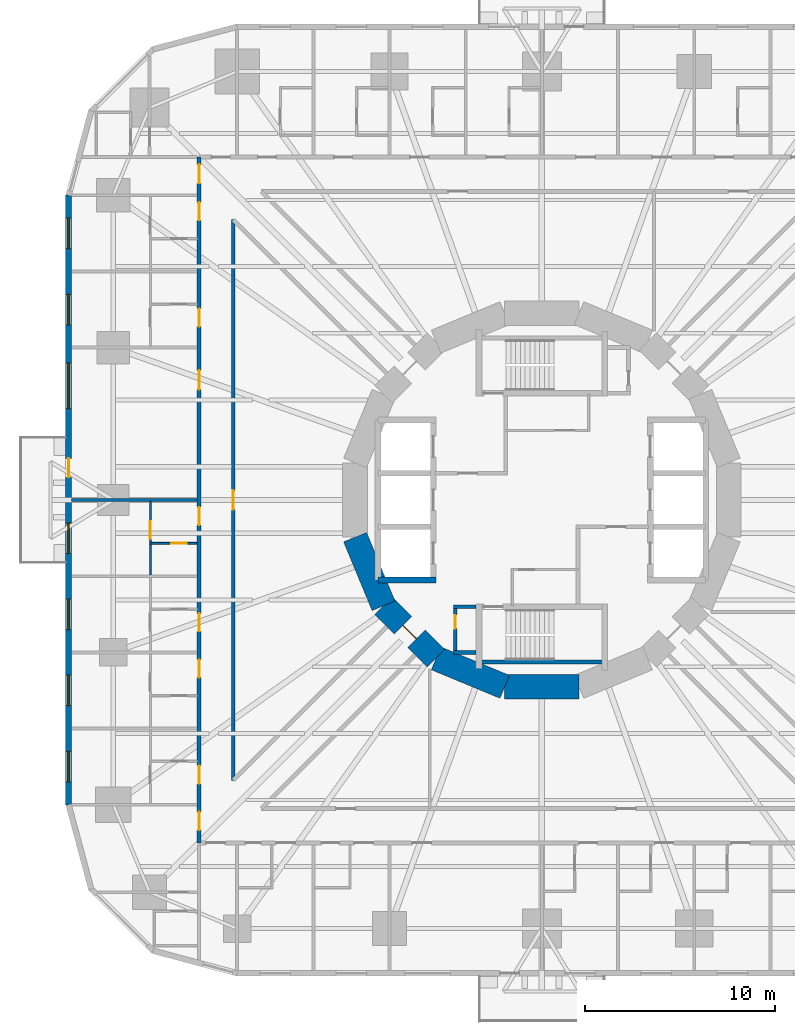
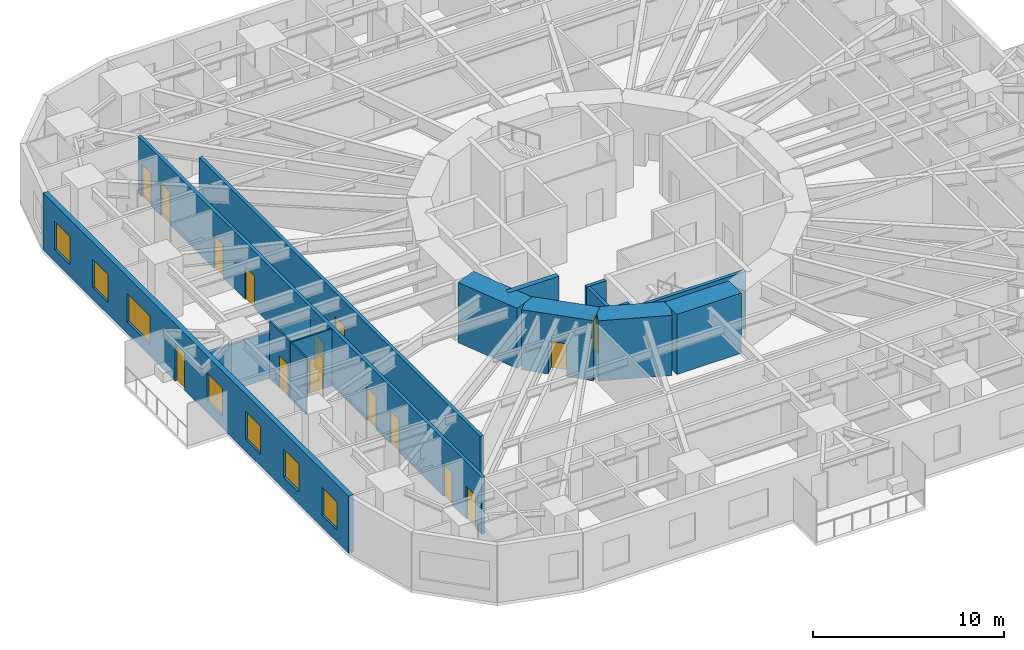
# One storey, part 6 of 14: 16 walls, 15 doors, 7 windows, 22 openings.
"""IFC4 building model written with IfcOpenShell, lengths in metres."""

from ifc_helpers import new_model, si_unit, direction, frame, frame_2d, origin, place, context, subcontext, project, spatial, rectangle, extrude, material, layer, layer_set, type_object, element, fill, save


model = new_model("IFC4")

# Units and contexts
model_context = context("Model", 3, precision=1e-05, world=origin(), true_north=direction((0.0, 1.0)))
body_context = subcontext(model_context, "Body", "Model", "MODEL_VIEW")
ifc_project = project(units=[si_unit("LENGTHUNIT", "METRE"), si_unit("AREAUNIT", "SQUARE_METRE"), si_unit("VOLUMEUNIT", "CUBIC_METRE"), si_unit("PLANEANGLEUNIT", "RADIAN"), si_unit("MASSUNIT", "GRAM", prefix="KILO")], contexts=[model_context])

# Site, building, storey
site_placement = place(None, origin())
site = spatial("IfcSite", under=ifc_project, at=site_placement, CompositionType="ELEMENT")
building_placement = place(site_placement, origin())
building = spatial("IfcBuilding", under=site, at=building_placement, Name="Nakasero Lantern House", CompositionType="ELEMENT")
storey_placement = place(building_placement, frame((0.0, 0.0, 46.800048828125)))
storey = spatial("IfcBuildingStorey", under=building, at=storey_placement, Name="L11", CompositionType="ELEMENT", Elevation=46.800048828125)

# Walls
ifc_material_1 = material(Name="Concrete C50/60", Category="concrete")
ifc_layer_1 = layer(ifc_material_1, 0.300048828125)
ifc_layer_set_1 = layer_set([ifc_layer_1], Name="Core inner wall 300")
wall_type_1 = type_object("IfcWallType", Name="Core inner wall 300", PredefinedType="SHEAR", material=ifc_layer_set_1)
wall_1_placement = place(storey_placement, frame((-8.60009765625, -4.199951171875, 0.0), z_axis=(0.0, 0.0, 1.0), x_axis=(1.0, 0.0, 0.0)))
element("IfcWall", 1, at=wall_1_placement, inside=storey, type_object=wall_type_1, Name="Core inner wall L11 LWS", PredefinedType="SHEAR", context=body_context, shape_type="SweptSolid", body=[
    extrude(rectangle(XDim=3.050048828125, YDim=0.300048828125, at=frame_2d((1.52490234375, 0.0))), origin(), (0.0, 0.0, 1.0), 3.849853515625),
])
ifc_material_2 = material(Name="Concrete C50/60", Category="concrete")
ifc_layer_2 = layer(ifc_material_2, 1.300048828125)
ifc_layer_set_2 = layer_set([ifc_layer_2], Name="Core wall 1300")
wall_type_2 = type_object("IfcWallType", Name="Core wall 1300", PredefinedType="SHEAR", material=ifc_layer_set_2)
wall_2_placement = place(storey_placement, frame((-9.807861328125, -1.950927734375, 0.0), z_axis=(0.0, 0.0, 1.0), x_axis=(0.382690736062, -0.923876507187, 0.0)))
element("IfcWall", 2, at=wall_2_placement, inside=storey, type_object=wall_type_2, Name="Core wall L11 facet 9", PredefinedType="SHEAR", context=body_context, shape_type="SweptSolid", body=[
    extrude(rectangle(XDim=3.90185546875, YDim=1.300048828125, at=frame_2d((1.950927734375, 0.0))), origin(), (0.0, 0.0, 1.0), 3.849853515625),
])

# Wall, opening, door
wall_3_placement = place(storey_placement, frame((-8.314697265625, -5.5556640625, 0.0), z_axis=(0.0, 0.0, 1.0), x_axis=(0.707106781187, -0.707106781187, 0.0)))
wall_3 = element("IfcWall", 3, at=wall_3_placement, inside=storey, type_object=wall_type_2, Name="Core wall L11 facet 10", PredefinedType="SHEAR", context=body_context, shape_type="SweptSolid", body=[
    extrude(rectangle(XDim=3.90185546875, YDim=1.300048828125, at=frame_2d((1.950927734375, 0.0))), origin(), (0.0, 0.0, 1.0), 3.849853515625),
])
opening_1_placement = place(wall_3_placement, frame((1.450927734375, 0.0, 0.0)))
opening_1 = element("IfcOpeningElement", 4, at=opening_1_placement, cuts=wall_3, Name="Opening D05", PredefinedType="OPENING", context=body_context, shape_type="SweptSolid", body=[
    extrude(rectangle(XDim=1.0, YDim=2.10009765625, at=frame_2d((0.5, 1.050048828125))), frame((0.0, 0.669921875, 0.0), z_axis=(0.0, -1.0, 0.0), x_axis=(1.0, 0.0, 0.0)), (0.0, 0.0, 1.0), 1.340087890625),
])
ifc_material_3 = material(Name="Timber C24", Category="wood")
door_type_1 = type_object("IfcDoorType", Name="Core door FD60S 1000", OperationType="SINGLE_SWING_LEFT", PredefinedType="DOOR", material=ifc_material_3)
door_1_placement = place(opening_1_placement, origin())
door_1 = element("IfcDoor", 5, at=door_1_placement, inside=storey, type_object=door_type_1, Name="Door L11 D-CORE10", OperationType="SINGLE_SWING_LEFT", OverallHeight=2.10009765625, OverallWidth=1.0, PredefinedType="DOOR", context=body_context, shape_type="SweptSolid", body=[
    extrude(rectangle(XDim=1.0, YDim=2.10009765625, at=frame_2d((0.5, 1.050048828125))), frame((0.0, 0.02490234375, 0.0), z_axis=(0.0, -1.0, 0.0), x_axis=(1.0, 0.0, 0.0)), (0.0, 0.0, 1.0), 0.050048828125),
])
fill(opening_1, door_1)

# Walls
for number, where, z_axis, x_axis, name in (
    (6, (-5.5556640625, -8.314697265625, 0.0), (0.0, 0.0, 1.0), (0.923876507187, -0.382690736062, 0.0), "Core wall L11 facet 11"),
    (7, (-1.950927734375, -9.807861328125, 0.0), (0.0, 0.0, 1.0), (1.0, 0.0, 0.0), "Core wall L11 facet 12"),
):
    element("IfcWall", number, at=place(storey_placement, frame(where, z_axis=z_axis, x_axis=x_axis)), inside=storey, type_object=wall_type_2, Name=name, PredefinedType="SHEAR", context=body_context, shape_type="SweptSolid", body=[
        extrude(rectangle(XDim=3.90185546875, YDim=1.300048828125, at=frame_2d((1.950927734375, 0.0))), origin(), (0.0, 0.0, 1.0), 3.849853515625),
    ])

# Wall, openings, doors
ifc_material_4 = material(Name="Blockwork", Category="masonry")
ifc_layer_3 = layer(ifc_material_4, 0.199951171875)
ifc_layer_set_3 = layer_set([ifc_layer_3], Name="Corridor wall 200")
wall_type_3 = type_object("IfcWallType", Name="Corridor wall 200", PredefinedType="PARTITIONING", material=ifc_layer_set_3)
wall_4_placement = place(storey_placement, frame((-18.0, 18.0, 0.0), z_axis=(0.0, 0.0, 1.0), x_axis=(0.0, -1.0, 0.0)))
wall_4 = element("IfcWall", 8, at=wall_4_placement, inside=storey, type_object=wall_type_3, Name="Corridor wall L11 CW2", PredefinedType="PARTITIONING", context=body_context, shape_type="SweptSolid", body=[
    extrude(rectangle(XDim=36.0, YDim=0.199951171875, at=frame_2d((18.0, 0.0))), origin(), (0.0, 0.0, 1.0), 3.64990234375),
])
opening_2_placement = place(wall_4_placement, frame((0.375, 0.0, 0.0)))
opening_2 = element("IfcOpeningElement", 9, at=opening_2_placement, cuts=wall_4, Name="Opening D07", PredefinedType="OPENING", context=body_context, shape_type="SweptSolid", body=[
    extrude(rectangle(XDim=1.0, YDim=2.10009765625, at=frame_2d((0.5, 1.050048828125))), frame((0.0, 0.119873046875, 0.0), z_axis=(0.0, -1.0, 0.0), x_axis=(1.0, 0.0, 0.0)), (0.0, 0.0, 1.0), 0.239990234375),
])
opening_3_placement = place(wall_4_placement, frame((2.375, 0.0, 0.0)))
opening_3 = element("IfcOpeningElement", 10, at=opening_3_placement, cuts=wall_4, Name="Opening D01", PredefinedType="OPENING", context=body_context, shape_type="SweptSolid", body=[
    extrude(rectangle(XDim=0.949951171875, YDim=2.10009765625, at=frame_2d((0.47509765625, 1.050048828125))), frame((0.0, 0.119873046875, 0.0), z_axis=(0.0, -1.0, 0.0), x_axis=(1.0, 0.0, 0.0)), (0.0, 0.0, 1.0), 0.239990234375),
])
opening_4_placement = place(wall_4_placement, frame((7.949951171875, 0.0, 0.0)))
opening_4 = element("IfcOpeningElement", 11, at=opening_4_placement, cuts=wall_4, Name="Opening D01", PredefinedType="OPENING", context=body_context, shape_type="SweptSolid", body=[
    extrude(rectangle(XDim=0.949951171875, YDim=2.10009765625, at=frame_2d((0.47509765625, 1.050048828125))), frame((0.0, 0.119873046875, 0.0), z_axis=(0.0, -1.0, 0.0), x_axis=(1.0, 0.0, 0.0)), (0.0, 0.0, 1.0), 0.239990234375),
])
opening_5_placement = place(wall_4_placement, frame((18.375, 0.0, 0.0)))
opening_5 = element("IfcOpeningElement", 12, at=opening_5_placement, cuts=wall_4, Name="Opening D01", PredefinedType="OPENING", context=body_context, shape_type="SweptSolid", body=[
    extrude(rectangle(XDim=0.949951171875, YDim=2.10009765625, at=frame_2d((0.47509765625, 1.050048828125))), frame((0.0, 0.119873046875, 0.0), z_axis=(0.0, -1.0, 0.0), x_axis=(1.0, 0.0, 0.0)), (0.0, 0.0, 1.0), 0.239990234375),
])
opening_6_placement = place(wall_4_placement, frame((23.949951171875, 0.0, 0.0)))
opening_6 = element("IfcOpeningElement", 13, at=opening_6_placement, cuts=wall_4, Name="Opening D01", PredefinedType="OPENING", context=body_context, shape_type="SweptSolid", body=[
    extrude(rectangle(XDim=0.949951171875, YDim=2.10009765625, at=frame_2d((0.47509765625, 1.050048828125))), frame((0.0, 0.119873046875, 0.0), z_axis=(0.0, -1.0, 0.0), x_axis=(1.0, 0.0, 0.0)), (0.0, 0.0, 1.0), 0.239990234375),
])
opening_7_placement = place(wall_4_placement, frame((26.375, 0.0, 0.0)))
opening_7 = element("IfcOpeningElement", 14, at=opening_7_placement, cuts=wall_4, Name="Opening D01", PredefinedType="OPENING", context=body_context, shape_type="SweptSolid", body=[
    extrude(rectangle(XDim=0.949951171875, YDim=2.10009765625, at=frame_2d((0.47509765625, 1.050048828125))), frame((0.0, 0.119873046875, 0.0), z_axis=(0.0, -1.0, 0.0), x_axis=(1.0, 0.0, 0.0)), (0.0, 0.0, 1.0), 0.239990234375),
])
opening_8_placement = place(wall_4_placement, frame((31.949951171875, 0.0, 0.0)))
opening_8 = element("IfcOpeningElement", 15, at=opening_8_placement, cuts=wall_4, Name="Opening D01", PredefinedType="OPENING", context=body_context, shape_type="SweptSolid", body=[
    extrude(rectangle(XDim=0.949951171875, YDim=2.10009765625, at=frame_2d((0.47509765625, 1.050048828125))), frame((0.0, 0.119873046875, 0.0), z_axis=(0.0, -1.0, 0.0), x_axis=(1.0, 0.0, 0.0)), (0.0, 0.0, 1.0), 0.239990234375),
])
opening_9_placement = place(wall_4_placement, frame((34.375, 0.0, 0.0)))
opening_9 = element("IfcOpeningElement", 16, at=opening_9_placement, cuts=wall_4, Name="Opening D01", PredefinedType="OPENING", context=body_context, shape_type="SweptSolid", body=[
    extrude(rectangle(XDim=0.949951171875, YDim=2.10009765625, at=frame_2d((0.47509765625, 1.050048828125))), frame((0.0, 0.119873046875, 0.0), z_axis=(0.0, -1.0, 0.0), x_axis=(1.0, 0.0, 0.0)), (0.0, 0.0, 1.0), 0.239990234375),
])
opening_10_placement = place(wall_4_placement, frame((11.199951171875, 0.0, 0.0)))
opening_10 = element("IfcOpeningElement", 17, at=opening_10_placement, cuts=wall_4, Name="Opening D03", PredefinedType="OPENING", context=body_context, shape_type="SweptSolid", body=[
    extrude(rectangle(XDim=1.0, YDim=2.10009765625, at=frame_2d((0.5, 1.050048828125))), frame((0.0, 0.119873046875, 0.0), z_axis=(0.0, -1.0, 0.0), x_axis=(1.0, 0.0, 0.0)), (0.0, 0.0, 1.0), 0.239990234375),
])
ifc_material_5 = material(Name="Timber C24", Category="wood")
door_type_2 = type_object("IfcDoorType", Name="Bedroom door FD30S 950", OperationType="SINGLE_SWING_LEFT", PredefinedType="DOOR", material=ifc_material_5)
door_2_placement = place(opening_3_placement, origin())
door_2 = element("IfcDoor", 18, at=door_2_placement, inside=storey, type_object=door_type_2, Name="Door L11 D2-01", OperationType="SINGLE_SWING_LEFT", OverallHeight=2.10009765625, OverallWidth=0.949951171875, PredefinedType="DOOR", context=body_context, shape_type="SweptSolid", body=[
    extrude(rectangle(XDim=0.949951171875, YDim=2.10009765625, at=frame_2d((0.47509765625, 1.050048828125))), frame((0.0, 0.02490234375, 0.0), z_axis=(0.0, -1.0, 0.0), x_axis=(1.0, 0.0, 0.0)), (0.0, 0.0, 1.0), 0.050048828125),
])
fill(opening_3, door_2)
door_3_placement = place(opening_4_placement, origin())
door_3 = element("IfcDoor", 19, at=door_3_placement, inside=storey, type_object=door_type_2, Name="Door L11 D2-02", OperationType="SINGLE_SWING_LEFT", OverallHeight=2.10009765625, OverallWidth=0.949951171875, PredefinedType="DOOR", context=body_context, shape_type="SweptSolid", body=[
    extrude(rectangle(XDim=0.949951171875, YDim=2.10009765625, at=frame_2d((0.47509765625, 1.050048828125))), frame((0.0, 0.02490234375, 0.0), z_axis=(0.0, -1.0, 0.0), x_axis=(1.0, 0.0, 0.0)), (0.0, 0.0, 1.0), 0.050048828125),
])
fill(opening_4, door_3)
door_4_placement = place(opening_5_placement, origin())
door_4 = element("IfcDoor", 20, at=door_4_placement, inside=storey, type_object=door_type_2, Name="Door L11 D2-05", OperationType="SINGLE_SWING_RIGHT", OverallHeight=2.10009765625, OverallWidth=0.949951171875, PredefinedType="DOOR", context=body_context, shape_type="SweptSolid", body=[
    extrude(rectangle(XDim=0.949951171875, YDim=2.10009765625, at=frame_2d((0.47509765625, 1.050048828125))), frame((0.0, 0.02490234375, 0.0), z_axis=(0.0, -1.0, 0.0), x_axis=(1.0, 0.0, 0.0)), (0.0, 0.0, 1.0), 0.050048828125),
])
fill(opening_5, door_4)
door_5_placement = place(opening_6_placement, origin())
door_5 = element("IfcDoor", 21, at=door_5_placement, inside=storey, type_object=door_type_2, Name="Door L11 D2-06", OperationType="SINGLE_SWING_RIGHT", OverallHeight=2.10009765625, OverallWidth=0.949951171875, PredefinedType="DOOR", context=body_context, shape_type="SweptSolid", body=[
    extrude(rectangle(XDim=0.949951171875, YDim=2.10009765625, at=frame_2d((0.47509765625, 1.050048828125))), frame((0.0, 0.02490234375, 0.0), z_axis=(0.0, -1.0, 0.0), x_axis=(1.0, 0.0, 0.0)), (0.0, 0.0, 1.0), 0.050048828125),
])
fill(opening_6, door_5)
door_6_placement = place(opening_7_placement, origin())
door_6 = element("IfcDoor", 22, at=door_6_placement, inside=storey, type_object=door_type_2, Name="Door L11 D2-07", OperationType="SINGLE_SWING_RIGHT", OverallHeight=2.10009765625, OverallWidth=0.949951171875, PredefinedType="DOOR", context=body_context, shape_type="SweptSolid", body=[
    extrude(rectangle(XDim=0.949951171875, YDim=2.10009765625, at=frame_2d((0.47509765625, 1.050048828125))), frame((0.0, 0.02490234375, 0.0), z_axis=(0.0, -1.0, 0.0), x_axis=(1.0, 0.0, 0.0)), (0.0, 0.0, 1.0), 0.050048828125),
])
fill(opening_7, door_6)
door_7_placement = place(opening_8_placement, origin())
door_7 = element("IfcDoor", 23, at=door_7_placement, inside=storey, type_object=door_type_2, Name="Door L11 D2-08", OperationType="SINGLE_SWING_RIGHT", OverallHeight=2.10009765625, OverallWidth=0.949951171875, PredefinedType="DOOR", context=body_context, shape_type="SweptSolid", body=[
    extrude(rectangle(XDim=0.949951171875, YDim=2.10009765625, at=frame_2d((0.47509765625, 1.050048828125))), frame((0.0, 0.02490234375, 0.0), z_axis=(0.0, -1.0, 0.0), x_axis=(1.0, 0.0, 0.0)), (0.0, 0.0, 1.0), 0.050048828125),
])
fill(opening_8, door_7)
door_8_placement = place(opening_9_placement, origin())
door_8 = element("IfcDoor", 24, at=door_8_placement, inside=storey, type_object=door_type_2, Name="Door L11 D2-09", OperationType="SINGLE_SWING_RIGHT", OverallHeight=2.10009765625, OverallWidth=0.949951171875, PredefinedType="DOOR", context=body_context, shape_type="SweptSolid", body=[
    extrude(rectangle(XDim=0.949951171875, YDim=2.10009765625, at=frame_2d((0.47509765625, 1.050048828125))), frame((0.0, 0.02490234375, 0.0), z_axis=(0.0, -1.0, 0.0), x_axis=(1.0, 0.0, 0.0)), (0.0, 0.0, 1.0), 0.050048828125),
])
fill(opening_9, door_8)
ifc_material_6 = material(Name="Timber C24", Category="wood")
door_type_3 = type_object("IfcDoorType", Name="Lounge door FD30S 1000", OperationType="SINGLE_SWING_LEFT", PredefinedType="DOOR", material=ifc_material_6)
door_9_placement = place(opening_10_placement, origin())
door_9 = element("IfcDoor", 25, at=door_9_placement, inside=storey, type_object=door_type_3, Name="Door L11 DK2", OperationType="SINGLE_SWING_LEFT", OverallHeight=2.10009765625, OverallWidth=1.0, PredefinedType="DOOR", context=body_context, shape_type="SweptSolid", body=[
    extrude(rectangle(XDim=1.0, YDim=2.10009765625, at=frame_2d((0.5, 1.050048828125))), frame((0.0, 0.02490234375, 0.0), z_axis=(0.0, -1.0, 0.0), x_axis=(1.0, 0.0, 0.0)), (0.0, 0.0, 1.0), 0.050048828125),
])
fill(opening_10, door_9)
ifc_material_7 = material(Name="Timber C24", Category="wood")
door_type_4 = type_object("IfcDoorType", Name="Room door FD30S 1000", OperationType="SINGLE_SWING_LEFT", PredefinedType="DOOR", material=ifc_material_7)
door_10_placement = place(opening_2_placement, origin())
door_10 = element("IfcDoor", 26, at=door_10_placement, inside=storey, type_object=door_type_4, Name="Door L11 D2-00", OperationType="SINGLE_SWING_LEFT", OverallHeight=2.10009765625, OverallWidth=1.0, PredefinedType="DOOR", context=body_context, shape_type="SweptSolid", body=[
    extrude(rectangle(XDim=1.0, YDim=2.10009765625, at=frame_2d((0.5, 1.050048828125))), frame((0.0, 0.02490234375, 0.0), z_axis=(0.0, -1.0, 0.0), x_axis=(1.0, 0.0, 0.0)), (0.0, 0.0, 1.0), 0.050048828125),
])
fill(opening_2, door_10)

# Wall, opening, door
wall_5_placement = place(storey_placement, frame((-16.199951171875, 14.715087890625, 0.0), z_axis=(0.0, 0.0, 1.0), x_axis=(0.0, -1.0, 0.0)))
wall_5 = element("IfcWall", 27, at=wall_5_placement, inside=storey, type_object=wall_type_3, Name="Corridor wall L11 IW2-0", PredefinedType="PARTITIONING", context=body_context, shape_type="SweptSolid", body=[
    extrude(rectangle(XDim=29.43017578125, YDim=0.199951171875, at=frame_2d((14.715087890625, 0.0))), origin(), (0.0, 0.0, 1.0), 3.64990234375),
])
opening_11_placement = place(wall_5_placement, frame((14.215087890625, 0.0, 0.0)))
opening_11 = element("IfcOpeningElement", 28, at=opening_11_placement, cuts=wall_5, Name="Opening D07", PredefinedType="OPENING", context=body_context, shape_type="SweptSolid", body=[
    extrude(rectangle(XDim=1.0, YDim=2.10009765625, at=frame_2d((0.5, 1.050048828125))), frame((0.0, 0.119873046875, 0.0), z_axis=(0.0, -1.0, 0.0), x_axis=(1.0, 0.0, 0.0)), (0.0, 0.0, 1.0), 0.239990234375),
])
door_11_placement = place(opening_11_placement, origin())
door_11 = element("IfcDoor", 29, at=door_11_placement, inside=storey, type_object=door_type_4, Name="Door L11 DI3", OperationType="SINGLE_SWING_LEFT", OverallHeight=2.10009765625, OverallWidth=1.0, PredefinedType="DOOR", context=body_context, shape_type="SweptSolid", body=[
    extrude(rectangle(XDim=1.0, YDim=2.10009765625, at=frame_2d((0.5, 1.050048828125))), frame((0.0, 0.02490234375, 0.0), z_axis=(0.0, -1.0, 0.0), x_axis=(1.0, 0.0, 0.0)), (0.0, 0.0, 1.0), 0.050048828125),
])
fill(opening_11, door_11)

ifc_material_8 = material(Name="Blockwork", Category="masonry")
ifc_layer_4 = layer(ifc_material_8, 0.10009765625)
ifc_layer_set_4 = layer_set([ifc_layer_4], Name="En-suite wall 100")
wall_type_4 = type_object("IfcWallType", Name="En-suite wall 100", PredefinedType="PARTITIONING", material=ifc_layer_set_4)
wall_6_placement = place(storey_placement, frame((-18.10009765625, -2.27490234375, 0.0), z_axis=(0.0, 0.0, 1.0), x_axis=(-1.0, 0.0, 0.0)))
wall_6 = element("IfcWall", 30, at=wall_6_placement, inside=storey, type_object=wall_type_4, Name="En-suite wall L11 ES2-05", PredefinedType="PARTITIONING", context=body_context, shape_type="SweptSolid", body=[
    extrude(rectangle(XDim=2.5, YDim=0.10009765625, at=frame_2d((1.25, 0.0))), origin(), (0.0, 0.0, 1.0), 3.64990234375),
])
opening_12_placement = place(wall_6_placement, frame((0.550048828125, 0.0, 0.0)))
opening_12 = element("IfcOpeningElement", 31, at=opening_12_placement, cuts=wall_6, Name="Opening D02", PredefinedType="OPENING", context=body_context, shape_type="SweptSolid", body=[
    extrude(rectangle(XDim=0.800048828125, YDim=2.10009765625, at=frame_2d((0.39990234375, 1.050048828125))), frame((0.0, 0.070068359375, 0.0), z_axis=(0.0, -1.0, 0.0), x_axis=(1.0, 0.0, 0.0)), (0.0, 0.0, 1.0), 0.14013671875),
])
ifc_material_9 = material(Name="Timber C24", Category="wood")
door_type_5 = type_object("IfcDoorType", Name="En-suite door 800", OperationType="SINGLE_SWING_RIGHT", PredefinedType="DOOR", material=ifc_material_9)
door_12_placement = place(opening_12_placement, origin())
door_12 = element("IfcDoor", 32, at=door_12_placement, inside=storey, type_object=door_type_5, Name="Door L11 DE2-05", OperationType="SINGLE_SWING_LEFT", OverallHeight=2.10009765625, OverallWidth=0.800048828125, PredefinedType="DOOR", context=body_context, shape_type="SweptSolid", body=[
    extrude(rectangle(XDim=0.800048828125, YDim=2.10009765625, at=frame_2d((0.39990234375, 1.050048828125))), frame((0.0, 0.02490234375, 0.0), z_axis=(0.0, -1.0, 0.0), x_axis=(1.0, 0.0, 0.0)), (0.0, 0.0, 1.0), 0.050048828125),
])
fill(opening_12, door_12)

# Wall
wall_7_placement = place(storey_placement, frame((-20.550048828125, -2.324951171875, 0.0), z_axis=(0.0, 0.0, 1.0), x_axis=(0.0, -1.0, 0.0)))
element("IfcWall", 33, at=wall_7_placement, inside=storey, type_object=wall_type_4, Name="En-suite wall L11 EE2-05", PredefinedType="PARTITIONING", context=body_context, shape_type="SweptSolid", body=[
    extrude(rectangle(XDim=1.60009765625, YDim=0.10009765625, at=frame_2d((0.800048828125, 0.0))), origin(), (0.0, 0.0, 1.0), 3.64990234375),
])

# Wall, opening, door
wall_8_placement = place(storey_placement, frame((-20.550048828125, -0.074951171875, 0.0), z_axis=(0.0, 0.0, 1.0), x_axis=(0.0, -1.0, 0.0)))
wall_8 = element("IfcWall", 34, at=wall_8_placement, inside=storey, type_object=wall_type_4, Name="En-suite wall L11 EL2-05", PredefinedType="PARTITIONING", context=body_context, shape_type="SweptSolid", body=[
    extrude(rectangle(XDim=2.150146484375, YDim=0.10009765625, at=frame_2d((1.0751953125, 0.0))), origin(), (0.0, 0.0, 1.0), 3.64990234375),
])
opening_13_placement = place(wall_8_placement, frame((1.050048828125, 0.0, 0.0)))
opening_13 = element("IfcOpeningElement", 35, at=opening_13_placement, cuts=wall_8, Name="Opening D17", PredefinedType="OPENING", context=body_context, shape_type="SweptSolid", body=[
    extrude(rectangle(XDim=0.89990234375, YDim=2.10009765625, at=frame_2d((0.449951171875, 1.050048828125))), frame((0.0, 0.070068359375, 0.0), z_axis=(0.0, -1.0, 0.0), x_axis=(1.0, 0.0, 0.0)), (0.0, 0.0, 1.0), 0.14013671875),
])
ifc_material_10 = material(Name="Timber C24", Category="wood")
door_type_6 = type_object("IfcDoorType", Name="Bedroom door FD30S 900", OperationType="SINGLE_SWING_LEFT", PredefinedType="DOOR", material=ifc_material_10)
door_13_placement = place(opening_13_placement, origin())
door_13 = element("IfcDoor", 36, at=door_13_placement, inside=storey, type_object=door_type_6, Name="Door L11 DL2-05", OperationType="SINGLE_SWING_RIGHT", OverallHeight=2.10009765625, OverallWidth=0.89990234375, PredefinedType="DOOR", context=body_context, shape_type="SweptSolid", body=[
    extrude(rectangle(XDim=0.89990234375, YDim=2.10009765625, at=frame_2d((0.449951171875, 1.050048828125))), frame((0.0, 0.02490234375, 0.0), z_axis=(0.0, -1.0, 0.0), x_axis=(1.0, 0.0, 0.0)), (0.0, 0.0, 1.0), 0.050048828125),
])
fill(opening_13, door_13)

# Wall, openings, door, windows
ifc_material_11 = material(Name="Aluminium rainscreen on blockwork", Category="masonry")
ifc_layer_5 = layer(ifc_material_11, 0.300048828125)
ifc_layer_set_5 = layer_set([ifc_layer_5], Name="Facade wall 300")
wall_type_5 = type_object("IfcWallType", Name="Facade wall 300", PredefinedType="SOLIDWALL", material=ifc_layer_set_5)
wall_9_placement = place(storey_placement, frame((-24.85009765625, 16.0, 0.0), z_axis=(0.0, 0.0, 1.0), x_axis=(0.0, -1.0, 0.0)))
wall_9 = element("IfcWall", 37, at=wall_9_placement, inside=storey, type_object=wall_type_5, Name="Facade wall L11 FW2S", PredefinedType="SOLIDWALL", context=body_context, shape_type="SweptSolid", body=[
    extrude(rectangle(XDim=32.0, YDim=0.300048828125, at=frame_2d((16.0, 0.0))), origin(), (0.0, 0.0, 1.0), 3.64990234375),
])
opening_14_placement = place(wall_9_placement, frame((1.199951171875, 0.0, 0.75)))
opening_14 = element("IfcOpeningElement", 38, at=opening_14_placement, cuts=wall_9, Name="Opening W01", PredefinedType="OPENING", context=body_context, shape_type="SweptSolid", body=[
    extrude(rectangle(XDim=1.60009765625, YDim=1.800048828125, at=frame_2d((0.800048828125, 0.89990234375))), frame((0.0, 0.169921875, 0.0), z_axis=(0.0, -1.0, 0.0), x_axis=(1.0, 0.0, 0.0)), (0.0, 0.0, 1.0), 0.340087890625),
])
opening_15_placement = place(wall_9_placement, frame((5.199951171875, 0.0, 0.75)))
opening_15 = element("IfcOpeningElement", 39, at=opening_15_placement, cuts=wall_9, Name="Opening W01", PredefinedType="OPENING", context=body_context, shape_type="SweptSolid", body=[
    extrude(rectangle(XDim=1.60009765625, YDim=1.800048828125, at=frame_2d((0.800048828125, 0.89990234375))), frame((0.0, 0.169921875, 0.0), z_axis=(0.0, -1.0, 0.0), x_axis=(1.0, 0.0, 0.0)), (0.0, 0.0, 1.0), 0.340087890625),
])
opening_16_placement = place(wall_9_placement, frame((17.199951171875, 0.0, 0.75)))
opening_16 = element("IfcOpeningElement", 40, at=opening_16_placement, cuts=wall_9, Name="Opening W01", PredefinedType="OPENING", context=body_context, shape_type="SweptSolid", body=[
    extrude(rectangle(XDim=1.60009765625, YDim=1.800048828125, at=frame_2d((0.800048828125, 0.89990234375))), frame((0.0, 0.169921875, 0.0), z_axis=(0.0, -1.0, 0.0), x_axis=(1.0, 0.0, 0.0)), (0.0, 0.0, 1.0), 0.340087890625),
])
opening_17_placement = place(wall_9_placement, frame((21.199951171875, 0.0, 0.75)))
opening_17 = element("IfcOpeningElement", 41, at=opening_17_placement, cuts=wall_9, Name="Opening W01", PredefinedType="OPENING", context=body_context, shape_type="SweptSolid", body=[
    extrude(rectangle(XDim=1.60009765625, YDim=1.800048828125, at=frame_2d((0.800048828125, 0.89990234375))), frame((0.0, 0.169921875, 0.0), z_axis=(0.0, -1.0, 0.0), x_axis=(1.0, 0.0, 0.0)), (0.0, 0.0, 1.0), 0.340087890625),
])
opening_18_placement = place(wall_9_placement, frame((25.199951171875, 0.0, 0.75)))
opening_18 = element("IfcOpeningElement", 42, at=opening_18_placement, cuts=wall_9, Name="Opening W01", PredefinedType="OPENING", context=body_context, shape_type="SweptSolid", body=[
    extrude(rectangle(XDim=1.60009765625, YDim=1.800048828125, at=frame_2d((0.800048828125, 0.89990234375))), frame((0.0, 0.169921875, 0.0), z_axis=(0.0, -1.0, 0.0), x_axis=(1.0, 0.0, 0.0)), (0.0, 0.0, 1.0), 0.340087890625),
])
opening_19_placement = place(wall_9_placement, frame((29.199951171875, 0.0, 0.75)))
opening_19 = element("IfcOpeningElement", 43, at=opening_19_placement, cuts=wall_9, Name="Opening W01", PredefinedType="OPENING", context=body_context, shape_type="SweptSolid", body=[
    extrude(rectangle(XDim=1.60009765625, YDim=1.800048828125, at=frame_2d((0.800048828125, 0.89990234375))), frame((0.0, 0.169921875, 0.0), z_axis=(0.0, -1.0, 0.0), x_axis=(1.0, 0.0, 0.0)), (0.0, 0.0, 1.0), 0.340087890625),
])
opening_20_placement = place(wall_9_placement, frame((8.800048828125, 0.0, 0.75)))
opening_20 = element("IfcOpeningElement", 44, at=opening_20_placement, cuts=wall_9, Name="Opening W03", PredefinedType="OPENING", context=body_context, shape_type="SweptSolid", body=[
    extrude(rectangle(XDim=2.39990234375, YDim=1.800048828125, at=frame_2d((1.199951171875, 0.89990234375))), frame((0.0, 0.169921875, 0.0), z_axis=(0.0, -1.0, 0.0), x_axis=(1.0, 0.0, 0.0)), (0.0, 0.0, 1.0), 0.340087890625),
])
opening_21_placement = place(wall_9_placement, frame((13.8125, 0.0, 0.0)))
opening_21 = element("IfcOpeningElement", 45, at=opening_21_placement, cuts=wall_9, Name="Opening D04", PredefinedType="OPENING", context=body_context, shape_type="SweptSolid", body=[
    extrude(rectangle(XDim=1.0, YDim=2.39990234375, at=frame_2d((0.5, 1.199951171875))), frame((0.0, 0.169921875, 0.0), z_axis=(0.0, -1.0, 0.0), x_axis=(1.0, 0.0, 0.0)), (0.0, 0.0, 1.0), 0.340087890625),
])
ifc_material_12 = material(Name="Aluminium 6063-T6 and glass", Category="aluminium")
door_type_7 = type_object("IfcDoorType", Name="Balcony door 1000x2400", OperationType="SINGLE_SWING_RIGHT", PredefinedType="DOOR", material=ifc_material_12)
door_14_placement = place(opening_21_placement, origin())
door_14 = element("IfcDoor", 46, at=door_14_placement, inside=storey, type_object=door_type_7, Name="Balcony door L11 DB2", OperationType="SINGLE_SWING_RIGHT", OverallHeight=2.39990234375, OverallWidth=1.0, PredefinedType="DOOR", context=body_context, shape_type="SweptSolid", body=[
    extrude(rectangle(XDim=1.0, YDim=2.39990234375, at=frame_2d((0.5, 1.199951171875))), frame((0.0, 0.02490234375, 0.0), z_axis=(0.0, -1.0, 0.0), x_axis=(1.0, 0.0, 0.0)), (0.0, 0.0, 1.0), 0.050048828125),
])
fill(opening_21, door_14)
ifc_material_13 = material(Name="Aluminium 6063-T6 and glass", Category="aluminium")
window_type_1 = type_object("IfcWindowType", Name="Bedroom window 1600x1800", PartitioningType="SINGLE_PANEL", PredefinedType="WINDOW", material=ifc_material_13)
window_1_placement = place(opening_14_placement, origin())
window_1 = element("IfcWindow", 47, at=window_1_placement, inside=storey, type_object=window_type_1, Name="Window L11 WN2-01", OverallHeight=1.800048828125, OverallWidth=1.60009765625, PartitioningType="SINGLE_PANEL", PredefinedType="WINDOW", context=body_context, shape_type="SweptSolid", body=[
    extrude(rectangle(XDim=1.60009765625, YDim=1.800048828125, at=frame_2d((0.800048828125, 0.89990234375))), frame((0.0, 0.030029296875, 0.0), z_axis=(0.0, -1.0, 0.0), x_axis=(1.0, 0.0, 0.0)), (0.0, 0.0, 1.0), 0.06005859375),
])
fill(opening_14, window_1)
window_2_placement = place(opening_15_placement, origin())
window_2 = element("IfcWindow", 48, at=window_2_placement, inside=storey, type_object=window_type_1, Name="Window L11 WN2-02", OverallHeight=1.800048828125, OverallWidth=1.60009765625, PartitioningType="SINGLE_PANEL", PredefinedType="WINDOW", context=body_context, shape_type="SweptSolid", body=[
    extrude(rectangle(XDim=1.60009765625, YDim=1.800048828125, at=frame_2d((0.800048828125, 0.89990234375))), frame((0.0, 0.030029296875, 0.0), z_axis=(0.0, -1.0, 0.0), x_axis=(1.0, 0.0, 0.0)), (0.0, 0.0, 1.0), 0.06005859375),
])
fill(opening_15, window_2)
window_3_placement = place(opening_16_placement, origin())
window_3 = element("IfcWindow", 49, at=window_3_placement, inside=storey, type_object=window_type_1, Name="Window L11 WN2-05", OverallHeight=1.800048828125, OverallWidth=1.60009765625, PartitioningType="SINGLE_PANEL", PredefinedType="WINDOW", context=body_context, shape_type="SweptSolid", body=[
    extrude(rectangle(XDim=1.60009765625, YDim=1.800048828125, at=frame_2d((0.800048828125, 0.89990234375))), frame((0.0, 0.030029296875, 0.0), z_axis=(0.0, -1.0, 0.0), x_axis=(1.0, 0.0, 0.0)), (0.0, 0.0, 1.0), 0.06005859375),
])
fill(opening_16, window_3)
window_4_placement = place(opening_17_placement, origin())
window_4 = element("IfcWindow", 50, at=window_4_placement, inside=storey, type_object=window_type_1, Name="Window L11 WN2-06", OverallHeight=1.800048828125, OverallWidth=1.60009765625, PartitioningType="SINGLE_PANEL", PredefinedType="WINDOW", context=body_context, shape_type="SweptSolid", body=[
    extrude(rectangle(XDim=1.60009765625, YDim=1.800048828125, at=frame_2d((0.800048828125, 0.89990234375))), frame((0.0, 0.030029296875, 0.0), z_axis=(0.0, -1.0, 0.0), x_axis=(1.0, 0.0, 0.0)), (0.0, 0.0, 1.0), 0.06005859375),
])
fill(opening_17, window_4)
window_5_placement = place(opening_18_placement, origin())
window_5 = element("IfcWindow", 51, at=window_5_placement, inside=storey, type_object=window_type_1, Name="Window L11 WN2-07", OverallHeight=1.800048828125, OverallWidth=1.60009765625, PartitioningType="SINGLE_PANEL", PredefinedType="WINDOW", context=body_context, shape_type="SweptSolid", body=[
    extrude(rectangle(XDim=1.60009765625, YDim=1.800048828125, at=frame_2d((0.800048828125, 0.89990234375))), frame((0.0, 0.030029296875, 0.0), z_axis=(0.0, -1.0, 0.0), x_axis=(1.0, 0.0, 0.0)), (0.0, 0.0, 1.0), 0.06005859375),
])
fill(opening_18, window_5)
window_6_placement = place(opening_19_placement, origin())
window_6 = element("IfcWindow", 52, at=window_6_placement, inside=storey, type_object=window_type_1, Name="Window L11 WN2-08", OverallHeight=1.800048828125, OverallWidth=1.60009765625, PartitioningType="SINGLE_PANEL", PredefinedType="WINDOW", context=body_context, shape_type="SweptSolid", body=[
    extrude(rectangle(XDim=1.60009765625, YDim=1.800048828125, at=frame_2d((0.800048828125, 0.89990234375))), frame((0.0, 0.030029296875, 0.0), z_axis=(0.0, -1.0, 0.0), x_axis=(1.0, 0.0, 0.0)), (0.0, 0.0, 1.0), 0.06005859375),
])
fill(opening_19, window_6)
ifc_material_14 = material(Name="Aluminium 6063-T6 and glass", Category="aluminium")
window_type_2 = type_object("IfcWindowType", Name="Lounge window 2400x1800", PartitioningType="SINGLE_PANEL", PredefinedType="WINDOW", material=ifc_material_14)
window_7_placement = place(opening_20_placement, origin())
window_7 = element("IfcWindow", 53, at=window_7_placement, inside=storey, type_object=window_type_2, Name="Window L11 WK2", OverallHeight=1.800048828125, OverallWidth=2.39990234375, PartitioningType="SINGLE_PANEL", PredefinedType="WINDOW", context=body_context, shape_type="SweptSolid", body=[
    extrude(rectangle(XDim=2.39990234375, YDim=1.800048828125, at=frame_2d((1.199951171875, 0.89990234375))), frame((0.0, 0.030029296875, 0.0), z_axis=(0.0, -1.0, 0.0), x_axis=(1.0, 0.0, 0.0)), (0.0, 0.0, 1.0), 0.06005859375),
])
fill(opening_20, window_7)

# Wall, opening, door
ifc_material_15 = material(Name="Blockwork", Category="masonry")
ifc_layer_6 = layer(ifc_material_15, 0.199951171875)
ifc_layer_set_6 = layer_set([ifc_layer_6], Name="Fire lobby wall 200")
wall_type_6 = type_object("IfcWallType", Name="Fire lobby wall 200", PredefinedType="PARTITIONING", material=ifc_layer_set_6)
wall_10_placement = place(storey_placement, frame((-4.550048828125, -5.60009765625, 0.0), z_axis=(0.0, 0.0, 1.0), x_axis=(0.0, -1.0, 0.0)))
wall_10 = element("IfcWall", 54, at=wall_10_placement, inside=storey, type_object=wall_type_6, Name="Fire lobby wall L11 W-RS2W", PredefinedType="PARTITIONING", context=body_context, shape_type="SweptSolid", body=[
    extrude(rectangle(XDim=2.39990234375, YDim=0.199951171875, at=frame_2d((1.199951171875, 0.0))), origin(), (0.0, 0.0, 1.0), 3.64990234375),
])
opening_22_placement = place(wall_10_placement, frame((0.449951171875, 0.0, 0.0)))
opening_22 = element("IfcOpeningElement", 55, at=opening_22_placement, cuts=wall_10, Name="Opening D06", PredefinedType="OPENING", context=body_context, shape_type="SweptSolid", body=[
    extrude(rectangle(XDim=0.699951171875, YDim=2.10009765625, at=frame_2d((0.35009765625, 1.050048828125))), frame((0.0, 0.119873046875, 0.0), z_axis=(0.0, -1.0, 0.0), x_axis=(1.0, 0.0, 0.0)), (0.0, 0.0, 1.0), 0.239990234375),
])
ifc_material_16 = material(Name="Steel S355", Category="steel")
door_type_8 = type_object("IfcDoorType", Name="Riser door FD60 700", OperationType="SINGLE_SWING_LEFT", PredefinedType="DOOR", material=ifc_material_16)
door_15_placement = place(opening_22_placement, origin())
door_15 = element("IfcDoor", 56, at=door_15_placement, inside=storey, type_object=door_type_8, Name="Door L11 D-RS2", OperationType="SINGLE_SWING_LEFT", OverallHeight=2.10009765625, OverallWidth=0.699951171875, PredefinedType="DOOR", context=body_context, shape_type="SweptSolid", body=[
    extrude(rectangle(XDim=0.699951171875, YDim=2.10009765625, at=frame_2d((0.35009765625, 1.050048828125))), frame((0.0, 0.02490234375, 0.0), z_axis=(0.0, -1.0, 0.0), x_axis=(1.0, 0.0, 0.0)), (0.0, 0.0, 1.0), 0.050048828125),
])
fill(opening_22, door_15)

# Walls
for number, where, z_axis, x_axis, name in (
    (57, (-3.449951171875, -8.0, 0.0), (0.0, 0.0, 1.0), (-1.0, 0.0, 0.0), "Fire lobby wall L11 W-RS2S"),
    (58, (-3.449951171875, -5.60009765625, 0.0), (0.0, 0.0, 1.0), (-1.0, 0.0, 0.0), "Fire lobby wall L11 W-RS2N"),
):
    element("IfcWall", number, at=place(storey_placement, frame(where, z_axis=z_axis, x_axis=x_axis)), inside=storey, type_object=wall_type_6, Name=name, PredefinedType="PARTITIONING", context=body_context, shape_type="SweptSolid", body=[
        extrude(rectangle(XDim=1.199951171875, YDim=0.199951171875, at=frame_2d((0.60009765625, 0.0))), origin(), (0.0, 0.0, 1.0), 3.64990234375),
    ])
wall_11_placement = place(storey_placement, frame((-3.300048828125, -8.5, 0.0), z_axis=(0.0, 0.0, 1.0), x_axis=(1.0, 0.0, 0.0)))
element("IfcWall", 59, at=wall_11_placement, inside=storey, type_object=wall_type_6, Name="Fire lobby wall L11 W-STS", PredefinedType="PARTITIONING", context=body_context, shape_type="SweptSolid", body=[
    extrude(rectangle(XDim=6.60009765625, YDim=0.199951171875, at=frame_2d((3.300048828125, 0.0))), origin(), (0.0, 0.0, 1.0), 3.64990234375),
])
ifc_material_17 = material(Name="Blockwork", Category="masonry")
ifc_layer_7 = layer(ifc_material_17, 0.14990234375)
ifc_layer_set_7 = layer_set([ifc_layer_7], Name="Party wall 150")
wall_type_7 = type_object("IfcWallType", Name="Party wall 150", PredefinedType="PARTITIONING", material=ifc_layer_set_7)
wall_12_placement = place(storey_placement, frame((-18.10009765625, 0.0, 0.0), z_axis=(0.0, 0.0, 1.0), x_axis=(-1.0, 0.0, 0.0)))
element("IfcWall", 60, at=wall_12_placement, inside=storey, type_object=wall_type_7, Name="Party wall L11 PW2-05", PredefinedType="PARTITIONING", context=body_context, shape_type="SweptSolid", body=[
    extrude(rectangle(XDim=6.599853515625, YDim=0.14990234375, at=frame_2d((3.2998046875, 0.0))), origin(), (0.0, 0.0, 1.0), 2.95703125),
])

save(model, "model.ifc")
